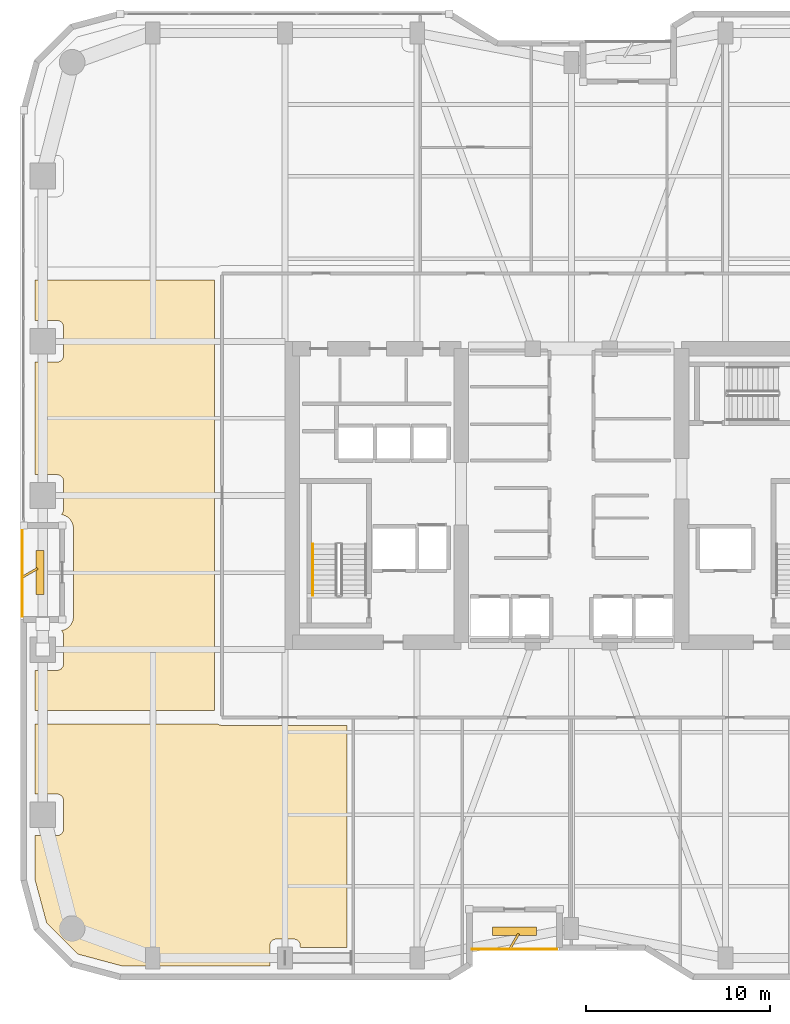
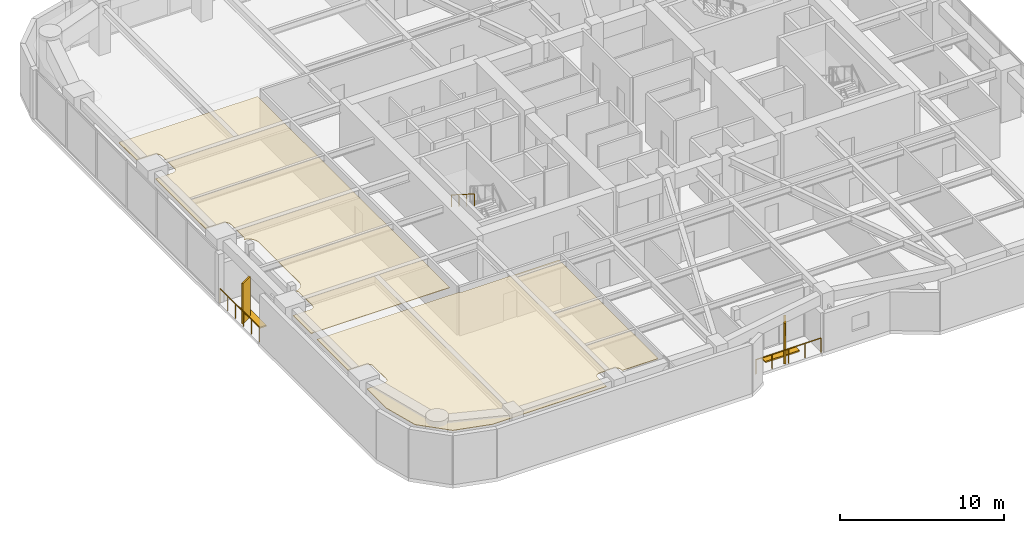
# One storey, part 22 of 24: 4 shading devices, 3 railings, 2 coverings.
"""IFC4 building model written with IfcOpenShell, lengths in metres."""

from ifc_helpers import new_model, si_unit, direction, frame, origin, origin_2d, place, context, subcontext, project, spatial, polyline, rectangle, outline, extrude, material, layer, layer_set, type_object, element, save


model = new_model("IFC4")

# Units and contexts
model_context = context("Model", 3, precision=1e-05, world=origin(), true_north=direction((0.0, 1.0)))
body_context = subcontext(model_context, "Body", "Model", "MODEL_VIEW")
ifc_project = project(units=[si_unit("LENGTHUNIT", "METRE"), si_unit("AREAUNIT", "SQUARE_METRE"), si_unit("VOLUMEUNIT", "CUBIC_METRE"), si_unit("PLANEANGLEUNIT", "RADIAN"), si_unit("MASSUNIT", "GRAM", prefix="KILO")], contexts=[model_context])

# Site, building, storey
site_placement = place(None, origin())
site = spatial("IfcSite", under=ifc_project, at=site_placement, CompositionType="ELEMENT")
building_placement = place(site_placement, origin())
building = spatial("IfcBuilding", under=site, at=building_placement, Name="Kiyonajd Concourse Tower", CompositionType="ELEMENT")
storey_placement = place(building_placement, frame((0.0, 0.0, 105.300048828125)))
storey = spatial("IfcBuildingStorey", under=building, at=storey_placement, Name="L27", CompositionType="ELEMENT", Elevation=105.300048828125)

# Coverings
ifc_material_1 = material(Name="Natural Oak Acoustic Timber Veneer", Category="wood")
ifc_layer = layer(ifc_material_1, 0.0400390625)
ifc_layer_set = layer_set([ifc_layer], Name="Natural Oak Acoustic Timber Veneer")
covering_type = type_object("IfcCoveringType", Name="CV-CLG-ACST", PredefinedType="CEILING", material=ifc_layer_set)
covering_1_placement = place(storey_placement, frame((0.0, 0.0, 3.4599609375)))
element("IfcCovering", 1, at=covering_1_placement, inside=storey, type_object=covering_type, Name="L27-43 Room Acoustic Ceiling", PredefinedType="CEILING", context=body_context, shape_type="SweptSolid", body=[
    extrude(outline(polyline([(19.4140625, 12.697998046875), (18.77001953125, 15.10107421875), (18.77001953125, 17.469970703125), (20.013916015625, 17.471923828125), (20.08203125, 17.485107421875), (20.14501953125, 17.510986328125), (20.201904296875, 17.549072265625), (20.2509765625, 17.597900390625), (20.2890625, 17.655029296875), (20.31494140625, 17.718017578125), (20.330078125, 17.820068359375), (20.327880859375, 19.4140625), (20.31494140625, 19.48193359375), (20.2890625, 19.544921875), (20.22705078125, 19.626953125), (20.14501953125, 19.68896484375), (20.048095703125, 19.722900390625), (19.97998046875, 19.72998046875), (18.77001953125, 19.72998046875), (18.77001953125, 23.550048828125), (28.72705078125, 23.550048828125), (28.781982421875, 23.51611328125), (28.844970703125, 23.489990234375), (28.97509765625, 23.469970703125), (35.77001953125, 23.469970703125), (35.77001953125, 11.3701171875), (33.22998046875, 11.3701171875), (33.222900390625, 11.548095703125), (33.18896484375, 11.64501953125), (33.15087890625, 11.701904296875), (33.10205078125, 11.7509765625), (33.044921875, 11.7890625), (32.98193359375, 11.81494140625), (32.8798828125, 11.830078125), (31.885986328125, 11.827880859375), (31.785888671875, 11.802978515625), (31.697998046875, 11.7509765625), (31.64892578125, 11.701904296875), (31.611083984375, 11.64501953125), (31.576904296875, 11.548095703125), (31.570068359375, 11.47998046875), (31.570068359375, 10.3701171875), (23.5009765625, 10.3701171875), (21.097900390625, 11.013916015625), (19.4140625, 12.697998046875)])), origin(), (0.0, 0.0, 1.0), 0.0400390625),
])
covering_2_placement = place(storey_placement, frame((0.0, 0.0, 3.4599609375)))
element("IfcCovering", 2, at=covering_2_placement, inside=storey, type_object=covering_type, Name="L27-55 Room Acoustic Ceiling", PredefinedType="CEILING", context=body_context, shape_type="SweptSolid", body=[
    extrude(outline(polyline([(20.215087890625, 28.638916015625), (20.340087890625, 28.6689453125), (20.450927734375, 28.715087890625), (20.580078125, 28.798095703125), (20.656982421875, 28.867919921875), (20.73193359375, 28.9609375), (20.80810546875, 29.095947265625), (20.842041015625, 29.193115234375), (20.864013671875, 29.30810546875), (20.8701171875, 34.199951171875), (20.860107421875, 34.31591796875), (20.8310546875, 34.43994140625), (20.7958984375, 34.528076171875), (20.73193359375, 34.638916015625), (20.632080078125, 34.757080078125), (20.5390625, 34.83203125), (20.404052734375, 34.907958984375), (20.306884765625, 34.94189453125), (20.215087890625, 34.9609375), (20.27099609375, 35.02587890625), (20.302978515625, 35.0859375), (20.322998046875, 35.152099609375), (20.330078125, 35.219970703125), (20.330078125, 36.780029296875), (20.31494140625, 36.882080078125), (20.2890625, 36.945068359375), (20.2509765625, 37.001953125), (20.201904296875, 37.051025390625), (20.14501953125, 37.089111328125), (20.08203125, 37.114990234375), (20.013916015625, 37.1279296875), (18.77001953125, 37.1298828125), (18.77001953125, 43.27001953125), (20.013916015625, 43.27197265625), (20.08203125, 43.284912109375), (20.14501953125, 43.31103515625), (20.201904296875, 43.34912109375), (20.2509765625, 43.39794921875), (20.2890625, 43.455078125), (20.31494140625, 43.51806640625), (20.330078125, 43.6201171875), (20.327880859375, 45.214111328125), (20.302978515625, 45.31396484375), (20.2509765625, 45.402099609375), (20.201904296875, 45.450927734375), (20.14501953125, 45.489013671875), (20.048095703125, 45.52294921875), (19.97998046875, 45.530029296875), (18.77001953125, 45.530029296875), (18.77001953125, 47.72998046875), (28.544921875, 47.72998046875), (28.544921875, 24.27001953125), (18.77001953125, 24.27001953125), (18.77001953125, 26.469970703125), (19.97998046875, 26.469970703125), (20.048095703125, 26.47705078125), (20.14501953125, 26.510986328125), (20.201904296875, 26.549072265625), (20.27099609375, 26.6259765625), (20.31494140625, 26.718017578125), (20.330078125, 26.820068359375), (20.327880859375, 28.4140625), (20.31494140625, 28.48193359375), (20.2890625, 28.544921875), (20.2509765625, 28.60205078125), (20.215087890625, 28.638916015625)])), origin(), (0.0, 0.0, 1.0), 0.0400390625),
])

# Railings
ifc_material_2 = material(Name="Thermally Broken Anodised Aluminium", Category="aluminium")
railing_type_1 = type_object("IfcRailingType", Name="RL-GRD-LOG", PredefinedType="GUARDRAIL", material=ifc_material_2)
railing_1_placement = place(storey_placement, frame((42.60009765625, 11.280029296875, 0.0)))
element("IfcRailing", 3, at=railing_1_placement, inside=storey, type_object=railing_type_1, Name="L27 Engawa Loggia Perimeter Guard LOG-S", PredefinedType="GUARDRAIL", context=body_context, shape_type="SweptSolid", body=[
    extrude(rectangle(XDim=0.048095703125, YDim=0.048095703125, at=origin_2d()), frame((0.0, 0.0, 1.076171875), z_axis=(1.0, 0.0, 0.0), x_axis=(0.0, 1.0, 0.0)), (0.0, 0.0, 1.0), 4.599853515625),
    extrude(rectangle(XDim=0.0419921875, YDim=0.0419921875, at=origin_2d()), origin(), (0.0, 0.0, 1.0), 1.052001953125),
    extrude(rectangle(XDim=0.0419921875, YDim=0.0419921875, at=origin_2d()), frame((1.14990234375, 0.0, 0.0)), (0.0, 0.0, 1.0), 1.052001953125),
    extrude(rectangle(XDim=0.0419921875, YDim=0.0419921875, at=origin_2d()), frame((2.2998046875, 0.0, 0.0)), (0.0, 0.0, 1.0), 1.052001953125),
    extrude(rectangle(XDim=0.0419921875, YDim=0.0419921875, at=origin_2d()), frame((3.449951171875, 0.0, 0.0)), (0.0, 0.0, 1.0), 1.052001953125),
    extrude(rectangle(XDim=0.0419921875, YDim=0.0419921875, at=origin_2d()), frame((4.599853515625, 0.0, 0.0)), (0.0, 0.0, 1.0), 1.052001953125),
])
railing_2_placement = place(storey_placement, frame((18.080078125, 34.199951171875, 0.0)))
element("IfcRailing", 4, at=railing_2_placement, inside=storey, type_object=railing_type_1, Name="L27 Engawa Loggia Perimeter Guard LOG-W", PredefinedType="GUARDRAIL", context=body_context, shape_type="SweptSolid", body=[
    extrude(rectangle(XDim=0.048095703125, YDim=0.048095703125, at=origin_2d()), frame((0.0, 0.0, 1.076171875), z_axis=(0.0, -1.0, 0.0), x_axis=(1.0, 0.0, 0.0)), (0.0, 0.0, 1.0), 4.800048828125),
    extrude(rectangle(XDim=0.0419921875, YDim=0.0419921875, at=origin_2d()), origin(), (0.0, 0.0, 1.0), 1.052001953125),
    extrude(rectangle(XDim=0.0419921875, YDim=0.0419921875, at=origin_2d()), frame((0.0, -0.9599609375, 0.0)), (0.0, 0.0, 1.0), 1.052001953125),
    extrude(rectangle(XDim=0.0419921875, YDim=0.0419921875, at=origin_2d()), frame((0.0, -1.919921875, 0.0)), (0.0, 0.0, 1.0), 1.052001953125),
    extrude(rectangle(XDim=0.0419921875, YDim=0.0419921875, at=origin_2d()), frame((0.0, -2.880126953125, 0.0)), (0.0, 0.0, 1.0), 1.052001953125),
    extrude(rectangle(XDim=0.0419921875, YDim=0.0419921875, at=origin_2d()), frame((0.0, -3.840087890625, 0.0)), (0.0, 0.0, 1.0), 1.052001953125),
    extrude(rectangle(XDim=0.0419921875, YDim=0.0419921875, at=origin_2d()), frame((0.0, -4.800048828125, 0.0)), (0.0, 0.0, 1.0), 1.052001953125),
])
ifc_material_3 = material(Name="Brushed Stainless Steel Cab Assembly", Category="steel")
railing_type_2 = type_object("IfcRailingType", Name="RL-HND-900", PredefinedType="HANDRAIL", material=ifc_material_3)
railing_3_placement = place(storey_placement, frame((33.89990234375, 33.35009765625, 2.127197265625)))
element("IfcRailing", 5, at=railing_3_placement, inside=storey, type_object=railing_type_2, Name="L27 ST1 stair handrail 2", PredefinedType="HANDRAIL", context=body_context, shape_type="SweptSolid", body=[
    extrude(rectangle(XDim=0.048095703125, YDim=0.048095703125, at=origin_2d()), frame((0.0, 0.0, 0.8759765625), z_axis=(0.0, -0.844908973607, 0.534910110503), x_axis=(1.0, 0.0, 0.0)), (0.0, 0.0, 1.0), 3.31396484375),
    extrude(rectangle(XDim=0.0419921875, YDim=0.0419921875, at=origin_2d()), origin(), (0.0, 0.0, 1.0), 0.851806640625),
    extrude(rectangle(XDim=0.0419921875, YDim=0.0419921875, at=origin_2d()), frame((0.0, -0.933349609375, 0.5908203125)), (0.0, 0.0, 1.0), 0.851806640625),
    extrude(rectangle(XDim=0.0419921875, YDim=0.0419921875, at=origin_2d()), frame((0.0, -1.86669921875, 1.181884765625)), (0.0, 0.0, 1.0), 0.851806640625),
    extrude(rectangle(XDim=0.0419921875, YDim=0.0419921875, at=origin_2d()), frame((0.0, -2.800048828125, 1.772705078125)), (0.0, 0.0, 1.0), 0.851806640625),
])

# Shading devices
ifc_material_4 = material(Name="Precast concrete C50/60", Category="concrete")
shading_device_type_1 = type_object("IfcShadingDeviceType", Name="SH-FIN-900", PredefinedType="USERDEFINED", material=ifc_material_4)
for number, where, z_axis, x_axis, name in (
    (6, (44.89990234375, 11.72998046875, 0.0), (0.0, 0.0, 1.0), (0.5, 0.866025403784, 0.0), "L27 Angled Koshi Solar Fin LOG-S"),
    (7, (18.530029296875, 31.800048828125, 0.0), (0.0, 0.0, 1.0), (0.866025403784, 0.5, 0.0), "L27 Angled Koshi Solar Fin LOG-W"),
):
    element("IfcShadingDevice", number, at=place(storey_placement, frame(where, z_axis=z_axis, x_axis=x_axis)), inside=storey, type_object=shading_device_type_1, Name=name, ObjectType="FIN", PredefinedType="USERDEFINED", context=body_context, shape_type="SweptSolid", body=[
        extrude(rectangle(XDim=0.89990234375, YDim=0.1201171875, at=origin_2d()), origin(), (0.0, 0.0, 1.0), 3.0),
    ])
shading_device_type_2 = type_object("IfcShadingDeviceType", Name="SH-LVR-600", PredefinedType="JALOUSIE", material=ifc_material_2)
for number, where, z_axis, x_axis, name in (
    (8, (44.89990234375, 12.25, 0.0), (0.0, 0.0, 1.0), (1.0, 0.0, 0.0), "L27 Loggia Threshold Louver LOG-S"),
    (9, (19.050048828125, 31.800048828125, 0.0), (0.0, 0.0, 1.0), (0.0, 1.0, 0.0), "L27 Loggia Threshold Louver LOG-W"),
):
    element("IfcShadingDevice", number, at=place(storey_placement, frame(where, z_axis=z_axis, x_axis=x_axis)), inside=storey, type_object=shading_device_type_2, Name=name, PredefinedType="JALOUSIE", context=body_context, shape_type="SweptSolid", body=[
        extrude(rectangle(XDim=2.39990234375, YDim=0.449951171875, at=origin_2d()), origin(), (0.0, 0.0, 1.0), 0.10009765625),
    ])

save(model, "model.ifc")
